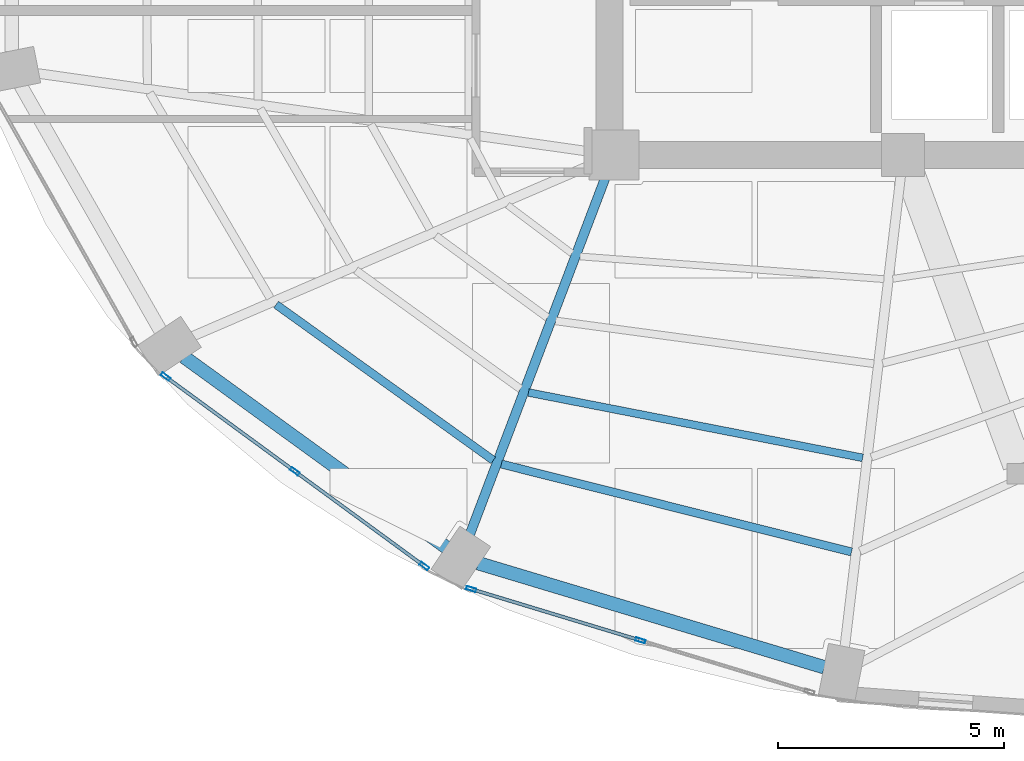
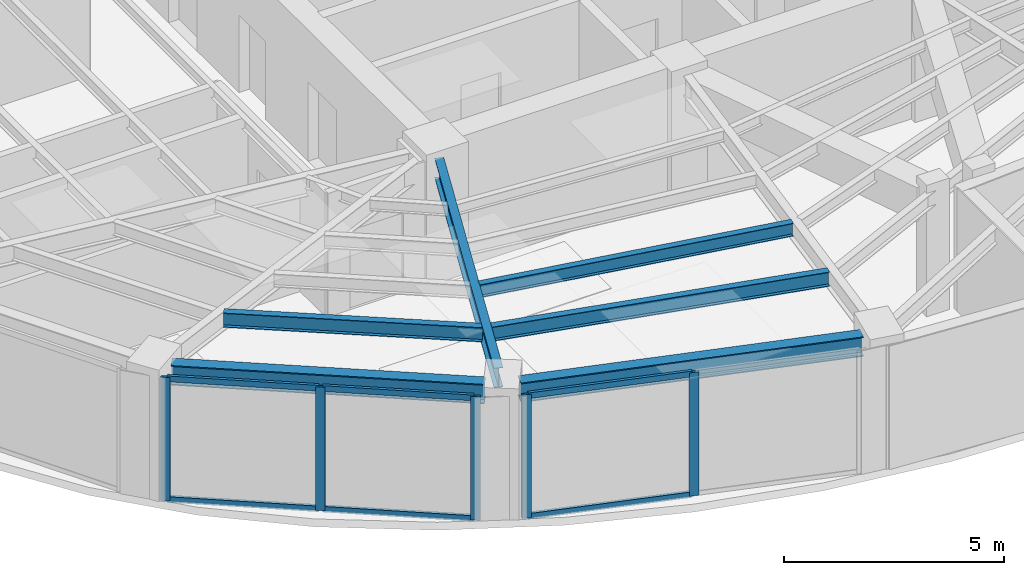
# One storey, part 2 of 20: 11 members, 6 beams, 2 elements without a shape of their own.
"""IFC4 building model written with IfcOpenShell, lengths in metres."""

from ifc_helpers import new_model, si_unit, direction, frame, origin, origin_2d, place, context, subcontext, project, spatial, hollow_rectangle, i_section, extrude, material, layer, layer_set, material_profile, profile_set, type_object, element, aggregate, save


model = new_model("IFC4")

# Units and contexts
model_context = context("Model", 3, precision=1e-05, world=origin(), true_north=direction((0.0, 1.0)))
body_context = subcontext(model_context, "Body", "Model", "MODEL_VIEW")
ifc_project = project(units=[si_unit("LENGTHUNIT", "METRE"), si_unit("AREAUNIT", "SQUARE_METRE"), si_unit("VOLUMEUNIT", "CUBIC_METRE"), si_unit("PLANEANGLEUNIT", "RADIAN"), si_unit("MASSUNIT", "GRAM", prefix="KILO")], contexts=[model_context])

# Site, building, storey
site_placement = place(None, origin())
site = spatial("IfcSite", under=ifc_project, at=site_placement, CompositionType="ELEMENT")
building_placement = place(site_placement, origin())
building = spatial("IfcBuilding", under=site, at=building_placement, Name="Lazwardi Medical Tower", CompositionType="ELEMENT")
storey_placement = place(building_placement, frame((0.0, 0.0, 178.416015625)))
storey = spatial("IfcBuildingStorey", under=building, at=storey_placement, Name="L46", CompositionType="ELEMENT", Elevation=178.416015625)

# Beams
ifc_material_1 = material(Name="Steel S355", Category="steel")
ifc_material_profile_1 = material_profile(ifc_material_1, i_section(OverallWidth=0.300048828125, OverallDepth=0.550048828125, WebThickness=0.014892578125, FlangeThickness=0.029052734375, at=origin_2d()), Name="HEB 550")
ifc_profile_set_1 = profile_set([ifc_material_profile_1], Name="Steel S355")
beam_type_1 = type_object("IfcBeamType", Name="BM-RB-Z3", PredefinedType="BEAM", material=ifc_profile_set_1)
beam_1_placement = place(storey_placement, frame((16.88818359375, 15.93408203125, 3.153076171875), z_axis=(0.809127570774, -0.587633026824, 0.0), x_axis=(0.587633026824, 0.809127570774, 0.0)))
element("IfcBeam", 1, at=beam_1_placement, inside=storey, type_object=beam_type_1, Name="Ring beam RB-04 B14 L46", PredefinedType="BEAM", context=body_context, shape_type="SweptSolid", body=[
    extrude(i_section(OverallWidth=0.300048828125, OverallDepth=0.550048828125, WebThickness=0.014892578125, FlangeThickness=0.029052734375, at=origin_2d()), origin(), (0.0, 0.0, 1.0), 7.170166015625),
])
beam_2_placement = place(storey_placement, frame((23.396484375, 11.37060546875, 3.153076171875), z_axis=(0.957616873483, -0.288045002771, 0.0), x_axis=(0.288045002771, 0.957616873483, 0.0)))
element("IfcBeam", 2, at=beam_2_placement, inside=storey, type_object=beam_type_1, Name="Ring beam RB-04 B15 L46", PredefinedType="BEAM", context=body_context, shape_type="SweptSolid", body=[
    extrude(i_section(OverallWidth=0.300048828125, OverallDepth=0.550048828125, WebThickness=0.014892578125, FlangeThickness=0.029052734375, at=origin_2d()), origin(), (0.0, 0.0, 1.0), 7.99951171875),
])
ifc_material_profile_2 = material_profile(ifc_material_1, i_section(OverallWidth=0.2099609375, OverallDepth=0.550048828125, WebThickness=0.010986328125, FlangeThickness=0.01708984375, at=origin_2d()), Name="IPE 550")
ifc_profile_set_2 = profile_set([ifc_material_profile_2], Name="Steel S355")
beam_type_2 = type_object("IfcBeamType", Name="BM-RG-W2", PredefinedType="BEAM", material=ifc_profile_set_2)
beam_3_placement = place(storey_placement, frame((23.21240234375, 12.00927734375, 3.153076171875), z_axis=(0.355126771712, 0.934818151307, 0.0), x_axis=(-0.934818151307, 0.355126771712, 0.0)))
element("IfcBeam", 3, at=beam_3_placement, inside=storey, type_object=beam_type_2, Name="Radial girder RG-03 R15 L46", PredefinedType="BEAM", context=body_context, shape_type="SweptSolid", body=[
    extrude(i_section(OverallWidth=0.2099609375, OverallDepth=0.550048828125, WebThickness=0.010986328125, FlangeThickness=0.01708984375, at=origin_2d()), origin(), (0.0, 0.0, 1.0), 8.44091796875),
])
ifc_material_profile_3 = material_profile(ifc_material_1, i_section(OverallWidth=0.179931640625, OverallDepth=0.39990234375, WebThickness=0.008544921875, FlangeThickness=0.013427734375, at=origin_2d()), Name="IPE 400")
ifc_profile_set_3 = profile_set([ifc_material_profile_3], Name="Steel S355")
beam_type_3 = type_object("IfcBeamType", Name="BM-SJ-01", PredefinedType="JOIST", material=ifc_profile_set_3)
beam_4_placement = place(storey_placement, frame((18.926025390625, 17.091796875, 3.22802734375), z_axis=(0.812602017757, -0.582818977675, 0.0), x_axis=(0.582818977675, 0.812602017757, 0.0)))
element("IfcBeam", 4, at=beam_4_placement, inside=storey, type_object=beam_type_3, Name="Secondary joist SJ-01 R1 B14 L46", PredefinedType="JOIST", context=body_context, shape_type="SweptSolid", body=[
    extrude(i_section(OverallWidth=0.179931640625, OverallDepth=0.39990234375, WebThickness=0.008544921875, FlangeThickness=0.013427734375, at=origin_2d()), origin(), (0.0, 0.0, 1.0), 5.91259765625),
])
beam_5_placement = place(storey_placement, frame((23.908935546875, 13.56298828125, 3.22802734375), z_axis=(0.969933596942, -0.243369713652, 0.0), x_axis=(0.243369713652, 0.969933596942, 0.0)))
element("IfcBeam", 5, at=beam_5_placement, inside=storey, type_object=beam_type_3, Name="Secondary joist SJ-01 R1 B15 L46", PredefinedType="JOIST", context=body_context, shape_type="SweptSolid", body=[
    extrude(i_section(OverallWidth=0.179931640625, OverallDepth=0.39990234375, WebThickness=0.008544921875, FlangeThickness=0.013427734375, at=origin_2d()), origin(), (0.0, 0.0, 1.0), 7.98828125),
])
ifc_material_profile_4 = material_profile(ifc_material_1, i_section(OverallWidth=0.169921875, OverallDepth=0.360107421875, WebThickness=0.008056640625, FlangeThickness=0.0126953125, at=origin_2d()), Name="IPE 360")
ifc_profile_set_4 = profile_set([ifc_material_profile_4], Name="Steel S355")
beam_type_4 = type_object("IfcBeamType", Name="BM-SJ-02", PredefinedType="JOIST", material=ifc_profile_set_4)
beam_6_placement = place(storey_placement, frame((24.509521484375, 15.146484375, 3.248046875), z_axis=(0.98141534692, -0.191895588353, 0.0), x_axis=(0.191895588353, 0.98141534692, 0.0)))
element("IfcBeam", 6, at=beam_6_placement, inside=storey, type_object=beam_type_4, Name="Secondary joist SJ-02 R2 B15 L46", PredefinedType="JOIST", context=body_context, shape_type="SweptSolid", body=[
    extrude(i_section(OverallWidth=0.169921875, OverallDepth=0.360107421875, WebThickness=0.008056640625, FlangeThickness=0.0126953125, at=origin_2d()), origin(), (0.0, 0.0, 1.0), 7.534423828125),
])

# Curtain wall, members
ifc_material_2 = material(Name="Anodised bronze aluminium and solar control glazing", Category="aluminium")
ifc_layer = layer(ifc_material_2, 0.195068359375)
ifc_layer_set = layer_set([ifc_layer], Name="Anodised bronze aluminium and solar control glazing")
curtain_wall_type = type_object("IfcCurtainWallType", Name="CW-SYS-03", PredefinedType="NOTDEFINED", material=ifc_layer_set)
curtain_wall_1_placement = place(storey_placement, origin())
curtain_wall_1 = element("IfcCurtainWall", 7, at=curtain_wall_1_placement, inside=storey, type_object=curtain_wall_type, Name="L46 Unitised bronze curtain wall CW-03", PredefinedType="NOTDEFINED")
ifc_material_3 = material(Name="Anodised bronze aluminium", Category="aluminium")
ifc_material_profile_5 = material_profile(ifc_material_3, hollow_rectangle(XDim=0.074951171875, YDim=0.219970703125, WallThickness=0.00390625, at=origin_2d()), Name="ALU-MULLION 220x75x4")
ifc_profile_set_5 = profile_set([ifc_material_profile_5], Name="Anodised bronze aluminium")
member_type_1 = type_object("IfcMemberType", Name="CW-MUL-01", PredefinedType="MULLION", material=ifc_profile_set_5)
member_1_placement = place(storey_placement, frame((16.480224609375, 15.4970703125, 0.0), z_axis=(0.0, 0.0, 1.0), x_axis=(0.590833862635, 0.806793249082, 0.0)))
member_1 = element("IfcMember", 8, at=member_1_placement, type_object=member_type_1, Name="CW-03 mullion 1", PredefinedType="MULLION", context=body_context, shape_type="SweptSolid", body=[
    extrude(hollow_rectangle(XDim=0.074951171875, YDim=0.219970703125, WallThickness=0.00390625, at=origin_2d()), origin(), (0.0, 0.0, 1.0), 3.427978515625),
])
member_2_placement = place(storey_placement, frame((19.34228515625, 13.401123046875, 0.0), z_axis=(0.0, 0.0, 1.0), x_axis=(0.590833862635, 0.806793249082, 0.0)))
member_2 = element("IfcMember", 9, at=member_2_placement, type_object=member_type_1, Name="CW-03 mullion 2", PredefinedType="MULLION", context=body_context, shape_type="SweptSolid", body=[
    extrude(hollow_rectangle(XDim=0.074951171875, YDim=0.219970703125, WallThickness=0.00390625, at=origin_2d()), origin(), (0.0, 0.0, 1.0), 3.427978515625),
])
member_3_placement = place(storey_placement, frame((22.204345703125, 11.30517578125, 0.0), z_axis=(0.0, 0.0, 1.0), x_axis=(0.590833862635, 0.806793249082, 0.0)))
member_3 = element("IfcMember", 10, at=member_3_placement, type_object=member_type_1, Name="CW-03 mullion 3", PredefinedType="MULLION", context=body_context, shape_type="SweptSolid", body=[
    extrude(hollow_rectangle(XDim=0.074951171875, YDim=0.219970703125, WallThickness=0.00390625, at=origin_2d()), origin(), (0.0, 0.0, 1.0), 3.427978515625),
])

curtain_wall_2_placement = place(storey_placement, origin())
curtain_wall_2 = element("IfcCurtainWall", 11, at=curtain_wall_2_placement, inside=storey, type_object=curtain_wall_type, Name="L46 Unitised bronze curtain wall CW-03", PredefinedType="NOTDEFINED")
member_4_placement = place(storey_placement, frame((23.241943359375, 10.796630859375, 0.0), z_axis=(0.0, 0.0, 1.0), x_axis=(0.290280785441, 0.956941516292, 0.0)))
member_4 = element("IfcMember", 12, at=member_4_placement, type_object=member_type_1, Name="CW-03 mullion 1", PredefinedType="MULLION", context=body_context, shape_type="SweptSolid", body=[
    extrude(hollow_rectangle(XDim=0.074951171875, YDim=0.219970703125, WallThickness=0.00390625, at=origin_2d()), origin(), (0.0, 0.0, 1.0), 3.427978515625),
])
member_5_placement = place(storey_placement, frame((26.98486328125, 9.661376953125, 0.0), z_axis=(0.0, 0.0, 1.0), x_axis=(0.290280785441, 0.956941516292, 0.0)))
member_5 = element("IfcMember", 13, at=member_5_placement, type_object=member_type_1, Name="CW-03 mullion 2", PredefinedType="MULLION", context=body_context, shape_type="SweptSolid", body=[
    extrude(hollow_rectangle(XDim=0.074951171875, YDim=0.219970703125, WallThickness=0.00390625, at=origin_2d()), origin(), (0.0, 0.0, 1.0), 3.427978515625),
])

# Member
ifc_material_profile_6 = material_profile(ifc_material_3, hollow_rectangle(XDim=0.074951171875, YDim=0.159912109375, WallThickness=0.00390625, at=origin_2d()), Name="ALU-TRANSOM 160x75x4")
ifc_profile_set_6 = profile_set([ifc_material_profile_6], Name="Anodised bronze aluminium")
member_type_2 = type_object("IfcMemberType", Name="CW-TRN-01", PredefinedType="USERDEFINED", material=ifc_profile_set_6)
member_6_placement = place(storey_placement, frame((16.510498046875, 15.474853515625, 0.03759765625), z_axis=(0.806807161185, -0.590814864962, 0.0), x_axis=(0.590814864962, 0.806807161185, 0.0)))
member_6 = element("IfcMember", 14, at=member_6_placement, type_object=member_type_2, Name="CW-03 transom 1.1", ObjectType="TRANSOM", PredefinedType="USERDEFINED", context=body_context, shape_type="SweptSolid", body=[
    extrude(hollow_rectangle(XDim=0.074951171875, YDim=0.159912109375, WallThickness=0.00390625, at=origin_2d()), origin(), (0.0, 0.0, 1.0), 3.472412109375),
])

member_7_placement = place(storey_placement, frame((16.510498046875, 15.474853515625, 3.390380859375), z_axis=(0.806807161185, -0.590814864962, 0.0), x_axis=(0.590814864962, 0.806807161185, 0.0)))
member_7 = element("IfcMember", 15, at=member_7_placement, type_object=member_type_2, Name="CW-03 transom 1.2", ObjectType="TRANSOM", PredefinedType="USERDEFINED", context=body_context, shape_type="SweptSolid", body=[
    extrude(hollow_rectangle(XDim=0.074951171875, YDim=0.159912109375, WallThickness=0.00390625, at=origin_2d()), origin(), (0.0, 0.0, 1.0), 3.472412109375),
])

member_8_placement = place(storey_placement, frame((19.37255859375, 13.37890625, 0.03759765625), z_axis=(0.806807161185, -0.590814864962, 0.0), x_axis=(0.590814864962, 0.806807161185, 0.0)))
member_8 = element("IfcMember", 16, at=member_8_placement, type_object=member_type_2, Name="CW-03 transom 2.1", ObjectType="TRANSOM", PredefinedType="USERDEFINED", context=body_context, shape_type="SweptSolid", body=[
    extrude(hollow_rectangle(XDim=0.074951171875, YDim=0.159912109375, WallThickness=0.00390625, at=origin_2d()), origin(), (0.0, 0.0, 1.0), 3.472412109375),
])

member_9_placement = place(storey_placement, frame((19.37255859375, 13.37890625, 3.390380859375), z_axis=(0.806807161185, -0.590814864962, 0.0), x_axis=(0.590814864962, 0.806807161185, 0.0)))
member_9 = element("IfcMember", 17, at=member_9_placement, type_object=member_type_2, Name="CW-03 transom 2.2", ObjectType="TRANSOM", PredefinedType="USERDEFINED", context=body_context, shape_type="SweptSolid", body=[
    extrude(hollow_rectangle(XDim=0.074951171875, YDim=0.159912109375, WallThickness=0.00390625, at=origin_2d()), origin(), (0.0, 0.0, 1.0), 3.472412109375),
])

aggregate(curtain_wall_1, [member_1, member_2, member_3, member_6, member_7, member_8, member_9])

member_10_placement = place(storey_placement, frame((23.27783203125, 10.785888671875, 0.03759765625), z_axis=(0.956930154175, -0.290318239233, 0.0), x_axis=(0.290318239233, 0.956930154175, 0.0)))
member_10 = element("IfcMember", 18, at=member_10_placement, type_object=member_type_2, Name="CW-03 transom 1.1", ObjectType="TRANSOM", PredefinedType="USERDEFINED", context=body_context, shape_type="SweptSolid", body=[
    extrude(hollow_rectangle(XDim=0.074951171875, YDim=0.159912109375, WallThickness=0.00390625, at=origin_2d()), origin(), (0.0, 0.0, 1.0), 3.83642578125),
])

member_11_placement = place(storey_placement, frame((23.27783203125, 10.785888671875, 3.390380859375), z_axis=(0.956930154175, -0.290318239233, 0.0), x_axis=(0.290318239233, 0.956930154175, 0.0)))
member_11 = element("IfcMember", 19, at=member_11_placement, type_object=member_type_2, Name="CW-03 transom 1.2", ObjectType="TRANSOM", PredefinedType="USERDEFINED", context=body_context, shape_type="SweptSolid", body=[
    extrude(hollow_rectangle(XDim=0.074951171875, YDim=0.159912109375, WallThickness=0.00390625, at=origin_2d()), origin(), (0.0, 0.0, 1.0), 3.83642578125),
])

aggregate(curtain_wall_2, [member_4, member_5, member_10, member_11])

save(model, "model.ifc")
